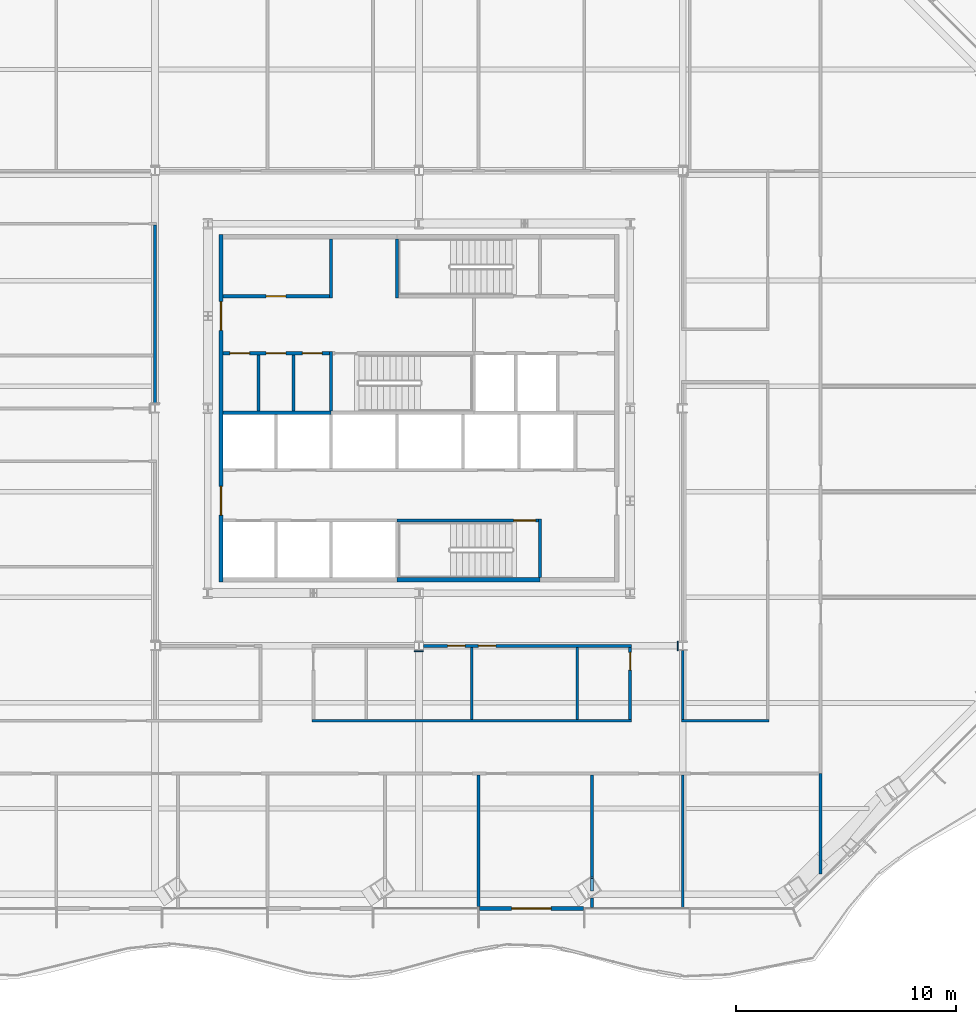
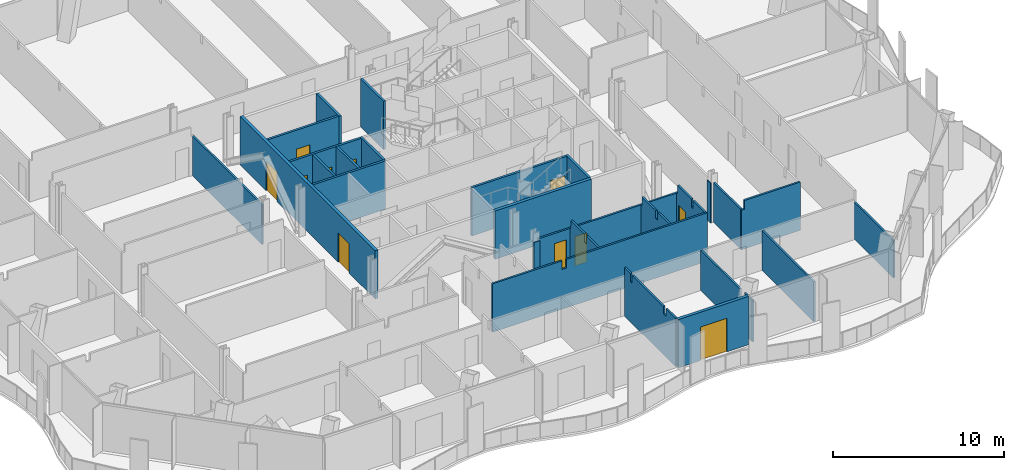
# One storey, part 9 of 22: 28 walls, 11 doors, 11 openings.
"""IFC4 building model written with IfcOpenShell, lengths in metres."""

import ifcopenshell
import ifcopenshell.guid

model = None  # the IFC model being written
_history = None  # IfcOwnerHistory: only IFC2X3 demands one
_inside = {}  # id of a spatial element -> (the spatial element, [elements in it])
_under = {}  # id of a project, library or spatial element -> (it, [spatial elements below it])
_declared = {}  # id of a project -> (the project, [libraries it declares])
_typed = {}  # id of a type object -> (the type object, [elements of that type])
_made_of = {}  # id of a material, layer set ... -> (it, [elements and type objects made of it])


def new_model(schema):
    """Start an empty IFC model of exactly this schema.

    Asked for "IFC4X3", IfcOpenShell would pick the latest addendum, in which some entities
    have other attributes; the version numbers below select the first issue.
    IFC2X3 requires an IfcOwnerHistory on every rooted entity: one is made here for all.
    """
    global model, _history
    if schema == "IFC4X3":
        model = ifcopenshell.file(schema_version=(4, 3, 0, 0))
    else:
        model = ifcopenshell.file(schema=schema)
    _inside.clear()
    _under.clear()
    _declared.clear()
    _typed.clear()
    _made_of.clear()
    _history = None
    if model.schema == "IFC2X3":
        org = make("IfcOrganization", Name="unknown")
        user = make(
            "IfcPersonAndOrganization",
            ThePerson=make("IfcPerson", FamilyName="unknown"),
            TheOrganization=org,
        )
        app = make(
            "IfcApplication",
            ApplicationDeveloper=org,
            Version="unknown",
            ApplicationFullName="unknown",
            ApplicationIdentifier="unknown",
        )
        _history = make(
            "IfcOwnerHistory",
            OwningUser=user,
            OwningApplication=app,
            ChangeAction="ADDED",
            CreationDate=0,
        )
    return model


def make(cls, **values):
    """One entity of the class cls with the attributes given. An attribute that is None is left unset."""
    return model.create_entity(
        cls, **{name: value for name, value in values.items() if value is not None}
    )


def rooted(cls, **values):
    """An entity with a GlobalId (a new one), such as an element, a storey or a relation."""
    return make(cls, GlobalId=ifcopenshell.guid.new(), OwnerHistory=_history, **values)


def si_unit(unit_type, name, prefix=None):
    """IfcSIUnit, for example si_unit("LENGTHUNIT", "METRE", prefix="MILLI")."""
    return make("IfcSIUnit", UnitType=unit_type, Prefix=prefix, Name=name)


def assignment(units):
    """IfcUnitAssignment: the units of a project."""
    return None if units is None else make("IfcUnitAssignment", Units=units)


def point(xyz):
    """IfcCartesianPoint."""
    return None if xyz is None else make("IfcCartesianPoint", Coordinates=xyz)


def direction(xyz):
    """IfcDirection."""
    return None if xyz is None else make("IfcDirection", DirectionRatios=xyz)


def frame(location, z_axis=None, x_axis=None):
    """IfcAxis2Placement3D, a coordinate frame: its origin and axes. An axis left out is left unset."""
    return make(
        "IfcAxis2Placement3D",
        Location=point(location),
        Axis=direction(z_axis),
        RefDirection=direction(x_axis),
    )


def frame_2d(location, x_axis=None):
    """IfcAxis2Placement2D, a coordinate frame in the plane: its origin and x axis."""
    return make(
        "IfcAxis2Placement2D", Location=point(location), RefDirection=direction(x_axis)
    )


def origin():
    """The frame at (0, 0, 0) with its axes left unset."""
    return frame((0.0, 0.0, 0.0))


def place(relative_to, where):
    """IfcLocalPlacement: puts the frame where relative to a parent placement (None: the world)."""
    return make(
        "IfcLocalPlacement", PlacementRelTo=relative_to, RelativePlacement=where
    )


def context(
    kind, dimensions, precision=None, world=None, true_north=None, identifier=None
):
    """IfcGeometricRepresentationContext, for example the 3D "Model" context."""
    return make(
        "IfcGeometricRepresentationContext",
        ContextIdentifier=identifier,
        ContextType=kind,
        CoordinateSpaceDimension=dimensions,
        Precision=precision,
        WorldCoordinateSystem=world,
        TrueNorth=true_north,
    )


def subcontext(parent, identifier, kind, view, scale=None):
    """IfcGeometricRepresentationSubContext, for example "Body" below "Model"."""
    return make(
        "IfcGeometricRepresentationSubContext",
        ContextIdentifier=identifier,
        ContextType=kind,
        ParentContext=parent,
        TargetScale=scale,
        TargetView=view,
    )


def project(units=None, contexts=None):
    """IfcProject with its units and contexts."""
    return rooted(
        "IfcProject",
        Name="project",
        RepresentationContexts=contexts,
        UnitsInContext=assignment(units),
    )


def spatial(cls, under=None, at=None, **own):
    """A site, building, storey or space (cls), placed at a placement, below another one or the project."""
    s = rooted(cls, ObjectPlacement=at, **own)
    if under is not None:
        _under.setdefault(under.id(), (under, []))[1].append(s)
    return s


def polyline(points):
    """IfcPolyline through the points."""
    return make("IfcPolyline", Points=[point(p) for p in points])


def profile(cls, at=None, kind="AREA", **sizes):
    """A parametric profile (cls). Its sizes go by their IFC names, for example OverallWidth=200.0."""
    return make(cls, ProfileType=kind, Position=at, **sizes)


def rectangle(**sizes):
    """IfcRectangleProfileDef."""
    return profile("IfcRectangleProfileDef", **sizes)


def outline(outer, holes=None, kind="AREA"):
    """IfcArbitraryClosedProfileDef: a profile drawn as a closed curve; with holes, ...WithVoids."""
    if holes is None:
        return make("IfcArbitraryClosedProfileDef", ProfileType=kind, OuterCurve=outer)
    return make(
        "IfcArbitraryProfileDefWithVoids",
        ProfileType=kind,
        OuterCurve=outer,
        InnerCurves=holes,
    )


def extrude(swept, where, along, depth):
    """IfcExtrudedAreaSolid: the profile swept, set in the frame where, extruded along a direction by depth."""
    return make(
        "IfcExtrudedAreaSolid",
        SweptArea=swept,
        Position=where,
        ExtrudedDirection=direction(along),
        Depth=depth,
    )


def shape(context_of_items, identifier, shape_type, items):
    """IfcShapeRepresentation: the items that make up one representation, for example the "Body"."""
    return make(
        "IfcShapeRepresentation",
        ContextOfItems=context_of_items,
        RepresentationIdentifier=identifier,
        RepresentationType=shape_type,
        Items=items,
    )


def material(Name=None, Category=None):
    """IfcMaterial."""
    return make("IfcMaterial", Name=Name, Category=Category)


def layer(
    of_material, thickness, ventilated=None, Name=None, Category=None, Priority=None
):
    """IfcMaterialLayer: one layer of a wall or slab, of a material (None: an air gap)."""
    return make(
        "IfcMaterialLayer",
        Material=of_material,
        LayerThickness=thickness,
        IsVentilated=ventilated,
        Name=Name,
        Category=Category,
        Priority=Priority,
    )


def layer_set(layers, Name=None):
    """IfcMaterialLayerSet."""
    return make("IfcMaterialLayerSet", MaterialLayers=layers, LayerSetName=Name)


def made_of(thing, what):
    """Note that an element or type object is made of a material, layer set ...; save() writes the relation."""
    if what is not None:
        _made_of.setdefault(what.id(), (what, []))[1].append(thing)
    return thing


def type_object(cls, material=None, **own):
    """A type object (cls), such as IfcWallType, which elements share."""
    return made_of(rooted(cls, **own), material)


def element(
    cls,
    number,
    at=None,
    inside=None,
    cuts=None,
    type_object=None,
    material=None,
    context=None,
    identifier="Body",
    shape_type=None,
    held_by="IfcProductDefinitionShape",
    body=None,
    shapes=None,
    **own,
):
    """One element of the class cls, such as IfcWall. Its Tag is "e" and its number.

    at: its placement. inside: the storey or other place that contains it. cuts: it is an
    opening in that element (IfcRelVoidsElement). A single representation is given by context,
    identifier, shape_type and body (its items); several are given by shapes. held_by: the class
    of the entity that holds the representations. save() writes the other relations.
    """
    e = rooted(cls, Tag="e%d" % number, ObjectPlacement=at, **own)
    if body is not None:
        shapes = [shape(context, identifier, shape_type, body)]
    if shapes is not None:
        e.Representation = make(held_by, Representations=shapes)
    if inside is not None:
        _inside.setdefault(inside.id(), (inside, []))[1].append(e)
    if cuts is not None:
        rooted(
            "IfcRelVoidsElement", RelatingBuildingElement=cuts, RelatedOpeningElement=e
        )
    if type_object is not None:
        _typed.setdefault(type_object.id(), (type_object, []))[1].append(e)
    return made_of(e, material)


def fill(opening, filler):
    """IfcRelFillsElement: the door or window that sits in an opening."""
    return rooted(
        "IfcRelFillsElement",
        RelatingOpeningElement=opening,
        RelatedBuildingElement=filler,
    )


def aggregate(whole, parts):
    """IfcRelAggregates: a whole, such as a stair, and the parts it consists of."""
    return rooted("IfcRelAggregates", RelatingObject=whole, RelatedObjects=parts)


def save(model, path):
    """Write the relations noted so far, then the file.

    IfcRelAggregates (storeys below a building ...), IfcRelContainedInSpatialStructure (elements
    in a storey), IfcRelDefinesByType, IfcRelAssociatesMaterial and IfcRelDeclares: one each for
    every whole, place, type object, material and project.
    """
    for whole, parts in _under.values():
        aggregate(whole, parts)
    for where, things in _inside.values():
        rooted(
            "IfcRelContainedInSpatialStructure",
            RelatedElements=things,
            RelatingStructure=where,
        )
    for kind, things in _typed.values():
        rooted("IfcRelDefinesByType", RelatedObjects=things, RelatingType=kind)
    for what, things in _made_of.values():
        rooted("IfcRelAssociatesMaterial", RelatedObjects=things, RelatingMaterial=what)
    for by, libraries in _declared.values():
        rooted("IfcRelDeclares", RelatingContext=by, RelatedDefinitions=libraries)
    model.write(path)


model = new_model("IFC4")

# Units and contexts
model_context = context("Model", 3, precision=1e-05, world=origin(), true_north=direction((0.0, 1.0)))
body_context = subcontext(model_context, "Body", "Model", "MODEL_VIEW")
ifc_project = project(units=[si_unit("LENGTHUNIT", "METRE"), si_unit("AREAUNIT", "SQUARE_METRE"), si_unit("VOLUMEUNIT", "CUBIC_METRE"), si_unit("PLANEANGLEUNIT", "RADIAN"), si_unit("MASSUNIT", "GRAM", prefix="KILO")], contexts=[model_context])

# Site, building, storey
site_placement = place(None, origin())
site = spatial("IfcSite", under=ifc_project, at=site_placement, CompositionType="ELEMENT")
building_placement = place(site_placement, origin())
building = spatial("IfcBuilding", under=site, at=building_placement, Name="Cairn Pilgrim Tower", CompositionType="ELEMENT")
storey_placement = place(building_placement, frame((0.0, 0.0, 105.0)))
storey = spatial("IfcBuildingStorey", under=building, at=storey_placement, Name="L25", CompositionType="ELEMENT", Elevation=105.0)

# Wall, opening, door
ifc_material_1 = material(Name="Bronze anodised aluminium insulated sandwich panel with mineral wool fill", Category="aluminium")
ifc_layer_1 = layer(ifc_material_1, 0.199951171875)
ifc_layer_set_1 = layer_set([ifc_layer_1], Name="BRONZE INFILL FRAME WALL 200")
wall_type_1 = type_object("IfcWallType", Name="BRONZE INFILL FRAME WALL 200", PredefinedType="NOTDEFINED", material=ifc_layer_set_1)
wall_1_placement = place(storey_placement, frame((9.94287109375, -20.34130859375, 0.0), z_axis=(0.0, 0.0, 1.0), x_axis=(1.0, 0.0, 0.0)))
wall_1 = element("IfcWall", 1, at=wall_1_placement, inside=storey, type_object=wall_type_1, Name="Bronze infill frame wall IW-S6", PredefinedType="NOTDEFINED", context=body_context, shape_type="SweptSolid", body=[
    extrude(rectangle(XDim=4.739990234375, YDim=0.199951171875, at=frame_2d((2.3701171875, 0.0))), origin(), (0.0, 0.0, 1.0), 3.449951171875),
])
opening_1_placement = place(wall_1_placement, frame((1.469970703125, 0.0, 0.0)))
opening_1 = element("IfcOpeningElement", 2, at=opening_1_placement, cuts=wall_1, Name="Opening 2506B", PredefinedType="OPENING", context=body_context, shape_type="SweptSolid", body=[
    extrude(rectangle(XDim=1.800048828125, YDim=2.39990234375, at=frame_2d((0.89990234375, 1.199951171875))), frame((0.0, 0.10986328125, 0.0), z_axis=(0.0, -1.0, 0.0), x_axis=(1.0, 0.0, 0.0)), (0.0, 0.0, 1.0), 0.219970703125),
])
ifc_material_2 = material(Name="Bronze anodised aluminium frame with tinted low-E glass", Category="aluminium")
door_type_1 = type_object("IfcDoorType", Name="BALCONY SLIDING DOOR 1800x2400", OperationType="DOUBLE_DOOR_SLIDING", PredefinedType="DOOR", material=ifc_material_2)
door_1_placement = place(opening_1_placement, origin())
door_1 = element("IfcDoor", 3, at=door_1_placement, inside=storey, type_object=door_type_1, Name="Balcony sliding door 2506B", OperationType="SINGLE_SWING_LEFT", OverallHeight=2.39990234375, OverallWidth=1.800048828125, PredefinedType="DOOR", context=body_context, shape_type="SweptSolid", body=[
    extrude(rectangle(XDim=1.800048828125, YDim=2.39990234375, at=frame_2d((0.89990234375, 1.199951171875))), frame((0.0, 0.02490234375, 0.0), z_axis=(0.0, -1.0, 0.0), x_axis=(1.0, 0.0, 0.0)), (0.0, 0.0, 1.0), 0.050048828125),
])
fill(opening_1, door_1)

# Wall, openings, doors
ifc_material_3 = material(Name="Concrete C32/40", Category="concrete")
ifc_layer_2 = layer(ifc_material_3, 0.199951171875)
ifc_layer_set_2 = layer_set([ifc_layer_2], Name="CORE OUTER WALL 200 EI 120")
wall_type_2 = type_object("IfcWallType", Name="CORE OUTER WALL 200 EI 120", PredefinedType="SOLIDWALL", material=ifc_layer_set_2)
wall_2_placement = place(storey_placement, frame((-1.800048828125, -5.5, 0.0), z_axis=(0.0, 0.0, 1.0), x_axis=(0.0, 1.0, 0.0)))
wall_2 = element("IfcWall", 4, at=wall_2_placement, inside=storey, type_object=wall_type_2, Name="CW:L25:V12", PredefinedType="SOLIDWALL", context=body_context, shape_type="SweptSolid", body=[
    extrude(rectangle(XDim=15.800048828125, YDim=0.199951171875, at=frame_2d((7.89990234375, 0.0))), origin(), (0.0, 0.0, 1.0), 3.449951171875),
])
opening_2_placement = place(wall_2_placement, frame((3.050048828125, 0.0, 0.0)))
opening_2 = element("IfcOpeningElement", 5, at=opening_2_placement, cuts=wall_2, Name="Opening CD-W1", PredefinedType="OPENING", context=body_context, shape_type="SweptSolid", body=[
    extrude(rectangle(XDim=1.300048828125, YDim=2.10009765625, at=frame_2d((0.64990234375, 1.050048828125))), frame((0.0, 0.10986328125, 0.0), z_axis=(0.0, -1.0, 0.0), x_axis=(1.0, 0.0, 0.0)), (0.0, 0.0, 1.0), 0.219970703125),
])
opening_3_placement = place(wall_2_placement, frame((11.449951171875, 0.0, 0.0)))
opening_3 = element("IfcOpeningElement", 6, at=opening_3_placement, cuts=wall_2, Name="Opening CD-W2", PredefinedType="OPENING", context=body_context, shape_type="SweptSolid", body=[
    extrude(rectangle(XDim=1.300048828125, YDim=2.10009765625, at=frame_2d((0.64990234375, 1.050048828125))), frame((0.0, 0.10986328125, 0.0), z_axis=(0.0, -1.0, 0.0), x_axis=(1.0, 0.0, 0.0)), (0.0, 0.0, 1.0), 0.219970703125),
])
ifc_material_4 = material(Name="Painted steel", Category="steel")
door_type_2 = type_object("IfcDoorType", Name="CORE LOBBY DOOR 1300x2100", OperationType="DOUBLE_DOOR_SINGLE_SWING", PredefinedType="DOOR", material=ifc_material_4)
door_2_placement = place(opening_2_placement, origin())
door_2 = element("IfcDoor", 7, at=door_2_placement, inside=storey, type_object=door_type_2, Name="CD-W1", OperationType="DOUBLE_DOOR_SINGLE_SWING", OverallHeight=2.10009765625, OverallWidth=1.300048828125, PredefinedType="DOOR", context=body_context, shape_type="SweptSolid", body=[
    extrude(rectangle(XDim=1.300048828125, YDim=2.10009765625, at=frame_2d((0.64990234375, 1.050048828125))), frame((0.0, 0.02490234375, 0.0), z_axis=(0.0, -1.0, 0.0), x_axis=(1.0, 0.0, 0.0)), (0.0, 0.0, 1.0), 0.050048828125),
])
fill(opening_2, door_2)
door_3_placement = place(opening_3_placement, origin())
door_3 = element("IfcDoor", 8, at=door_3_placement, inside=storey, type_object=door_type_2, Name="CD-W2", OperationType="DOUBLE_DOOR_SINGLE_SWING", OverallHeight=2.10009765625, OverallWidth=1.300048828125, PredefinedType="DOOR", context=body_context, shape_type="SweptSolid", body=[
    extrude(rectangle(XDim=1.300048828125, YDim=2.10009765625, at=frame_2d((0.64990234375, 1.050048828125))), frame((0.0, 0.02490234375, 0.0), z_axis=(0.0, -1.0, 0.0), x_axis=(1.0, 0.0, 0.0)), (0.0, 0.0, 1.0), 0.050048828125),
])
fill(opening_3, door_3)

ifc_layer_3 = layer(ifc_material_3, 0.14990234375)
ifc_layer_set_3 = layer_set([ifc_layer_3], Name="CORE PARTITION 150 EI 60")
wall_type_3 = type_object("IfcWallType", Name="CORE PARTITION 150 EI 60", PredefinedType="PARTITIONING", material=ifc_layer_set_3)
wall_3_placement = place(storey_placement, frame((-1.699951171875, 4.89990234375, 0.0), z_axis=(0.0, 0.0, 1.0), x_axis=(1.0, 0.0, 0.0)))
wall_3 = element("IfcWall", 9, at=wall_3_placement, inside=storey, type_object=wall_type_3, Name="CW:L25:H07", PredefinedType="PARTITIONING", context=body_context, shape_type="SweptSolid", body=[
    extrude(rectangle(XDim=4.824951171875, YDim=0.14990234375, at=frame_2d((2.41259765625, 0.0))), origin(), (0.0, 0.0, 1.0), 3.449951171875),
])
opening_4_placement = place(wall_3_placement, frame((0.300048828125, 0.0, 0.0)))
opening_4 = element("IfcOpeningElement", 10, at=opening_4_placement, cuts=wall_3, Name="Opening RD-R3W1", PredefinedType="OPENING", context=body_context, shape_type="SweptSolid", body=[
    extrude(rectangle(XDim=0.89990234375, YDim=2.10009765625, at=frame_2d((0.449951171875, 1.050048828125))), frame((0.0, 0.0849609375, 0.0), z_axis=(0.0, -1.0, 0.0), x_axis=(1.0, 0.0, 0.0)), (0.0, 0.0, 1.0), 0.169921875),
])
opening_5_placement = place(wall_3_placement, frame((1.949951171875, 0.0, 0.0)))
opening_5 = element("IfcOpeningElement", 11, at=opening_5_placement, cuts=wall_3, Name="Opening RD-R3W2", PredefinedType="OPENING", context=body_context, shape_type="SweptSolid", body=[
    extrude(rectangle(XDim=0.89990234375, YDim=2.10009765625, at=frame_2d((0.449951171875, 1.050048828125))), frame((0.0, 0.0849609375, 0.0), z_axis=(0.0, -1.0, 0.0), x_axis=(1.0, 0.0, 0.0)), (0.0, 0.0, 1.0), 0.169921875),
])
opening_6_placement = place(wall_3_placement, frame((3.60009765625, 0.0, 0.0)))
opening_6 = element("IfcOpeningElement", 12, at=opening_6_placement, cuts=wall_3, Name="Opening RD-R3W3", PredefinedType="OPENING", context=body_context, shape_type="SweptSolid", body=[
    extrude(rectangle(XDim=0.89990234375, YDim=2.10009765625, at=frame_2d((0.449951171875, 1.050048828125))), frame((0.0, 0.0849609375, 0.0), z_axis=(0.0, -1.0, 0.0), x_axis=(1.0, 0.0, 0.0)), (0.0, 0.0, 1.0), 0.169921875),
])
door_type_3 = type_object("IfcDoorType", Name="SERVICE ROOM DOOR 900x2100", OperationType="SINGLE_SWING_LEFT", PredefinedType="DOOR", material=ifc_material_4)
door_4_placement = place(opening_4_placement, origin())
door_4 = element("IfcDoor", 13, at=door_4_placement, inside=storey, type_object=door_type_3, Name="RD-R3W1", OperationType="SINGLE_SWING_RIGHT", OverallHeight=2.10009765625, OverallWidth=0.89990234375, PredefinedType="DOOR", context=body_context, shape_type="SweptSolid", body=[
    extrude(rectangle(XDim=0.89990234375, YDim=2.10009765625, at=frame_2d((0.449951171875, 1.050048828125))), frame((0.0, 0.02490234375, 0.0), z_axis=(0.0, -1.0, 0.0), x_axis=(1.0, 0.0, 0.0)), (0.0, 0.0, 1.0), 0.050048828125),
])
fill(opening_4, door_4)
door_5_placement = place(opening_5_placement, origin())
door_5 = element("IfcDoor", 14, at=door_5_placement, inside=storey, type_object=door_type_3, Name="RD-R3W2", OperationType="SINGLE_SWING_LEFT", OverallHeight=2.10009765625, OverallWidth=0.89990234375, PredefinedType="DOOR", context=body_context, shape_type="SweptSolid", body=[
    extrude(rectangle(XDim=0.89990234375, YDim=2.10009765625, at=frame_2d((0.449951171875, 1.050048828125))), frame((0.0, 0.02490234375, 0.0), z_axis=(0.0, -1.0, 0.0), x_axis=(1.0, 0.0, 0.0)), (0.0, 0.0, 1.0), 0.050048828125),
])
fill(opening_5, door_5)
door_6_placement = place(opening_6_placement, origin())
door_6 = element("IfcDoor", 15, at=door_6_placement, inside=storey, type_object=door_type_3, Name="RD-R3W3", OperationType="SINGLE_SWING_RIGHT", OverallHeight=2.10009765625, OverallWidth=0.89990234375, PredefinedType="DOOR", context=body_context, shape_type="SweptSolid", body=[
    extrude(rectangle(XDim=0.89990234375, YDim=2.10009765625, at=frame_2d((0.449951171875, 1.050048828125))), frame((0.0, 0.02490234375, 0.0), z_axis=(0.0, -1.0, 0.0), x_axis=(1.0, 0.0, 0.0)), (0.0, 0.0, 1.0), 0.050048828125),
])
fill(opening_6, door_6)

# Wall, opening, door
wall_4_placement = place(storey_placement, frame((-1.699951171875, 7.5, 0.0), z_axis=(0.0, 0.0, 1.0), x_axis=(1.0, 0.0, 0.0)))
wall_4 = element("IfcWall", 16, at=wall_4_placement, inside=storey, type_object=wall_type_3, Name="CW:L25:H09", PredefinedType="PARTITIONING", context=body_context, shape_type="SweptSolid", body=[
    extrude(rectangle(XDim=4.824951171875, YDim=0.14990234375, at=frame_2d((2.41259765625, 0.0))), origin(), (0.0, 0.0, 1.0), 3.449951171875),
])
opening_7_placement = place(wall_4_placement, frame((1.949951171875, 0.0, 0.0)))
opening_7 = element("IfcOpeningElement", 17, at=opening_7_placement, cuts=wall_4, Name="Opening RD-R4W1", PredefinedType="OPENING", context=body_context, shape_type="SweptSolid", body=[
    extrude(rectangle(XDim=0.89990234375, YDim=2.10009765625, at=frame_2d((0.449951171875, 1.050048828125))), frame((0.0, 0.0849609375, 0.0), z_axis=(0.0, -1.0, 0.0), x_axis=(1.0, 0.0, 0.0)), (0.0, 0.0, 1.0), 0.169921875),
])
door_7_placement = place(opening_7_placement, origin())
door_7 = element("IfcDoor", 18, at=door_7_placement, inside=storey, type_object=door_type_3, Name="RD-R4W1", OperationType="SINGLE_SWING_LEFT", OverallHeight=2.10009765625, OverallWidth=0.89990234375, PredefinedType="DOOR", context=body_context, shape_type="SweptSolid", body=[
    extrude(rectangle(XDim=0.89990234375, YDim=2.10009765625, at=frame_2d((0.449951171875, 1.050048828125))), frame((0.0, 0.02490234375, 0.0), z_axis=(0.0, -1.0, 0.0), x_axis=(1.0, 0.0, 0.0)), (0.0, 0.0, 1.0), 0.050048828125),
])
fill(opening_7, door_7)

# Walls
for number, where, z_axis, x_axis, name in (
    (19, (-0.10009765625, 2.27490234375, 0.0), (0.0, 0.0, 1.0), (0.0, 1.0, 0.0), "CW:L25:V13"),
    (20, (1.5, 2.27490234375, 0.0), (0.0, 0.0, 1.0), (0.0, 1.0, 0.0), "CW:L25:V16"),
):
    element("IfcWall", number, at=place(storey_placement, frame(where, z_axis=z_axis, x_axis=x_axis)), inside=storey, type_object=wall_type_3, Name=name, PredefinedType="PARTITIONING", context=body_context, shape_type="SweptSolid", body=[
        extrude(rectangle(XDim=2.550048828125, YDim=0.14990234375, at=frame_2d((1.27490234375, 0.0))), origin(), (0.0, 0.0, 1.0), 3.449951171875),
    ])
wall_5_placement = place(storey_placement, frame((3.199951171875, 7.425048828125, 0.0), z_axis=(0.0, 0.0, 1.0), x_axis=(0.0, 1.0, 0.0)))
element("IfcWall", 21, at=wall_5_placement, inside=storey, type_object=wall_type_3, Name="CW:L25:V20", PredefinedType="PARTITIONING", context=body_context, shape_type="SweptSolid", body=[
    extrude(rectangle(XDim=2.675048828125, YDim=0.14990234375, at=frame_2d((1.33740234375, 0.0))), origin(), (0.0, 0.0, 1.0), 3.449951171875),
])
ifc_layer_4 = layer(ifc_material_3, 0.14990234375)
ifc_layer_set_4 = layer_set([ifc_layer_4], Name="CORE SHAFT WALL 150 EI 120")
wall_type_4 = type_object("IfcWallType", Name="CORE SHAFT WALL 150 EI 120", PredefinedType="SOLIDWALL", material=ifc_layer_set_4)
wall_6_placement = place(storey_placement, frame((-1.699951171875, 2.199951171875, 0.0), z_axis=(0.0, 0.0, 1.0), x_axis=(1.0, 0.0, 0.0)))
element("IfcWall", 22, at=wall_6_placement, inside=storey, type_object=wall_type_4, Name="CW:L25:H05-1", PredefinedType="SOLIDWALL", context=body_context, shape_type="SweptSolid", body=[
    extrude(rectangle(XDim=4.89990234375, YDim=0.14990234375, at=frame_2d((2.449951171875, 0.0))), origin(), (0.0, 0.0, 1.0), 3.449951171875),
])
ifc_material_5 = material(Name="Gypsum partition")
ifc_layer_5 = layer(ifc_material_5, 0.125)
ifc_layer_set_5 = layer_set([ifc_layer_5], Name="PARTITION 125 DRYWALL EI 60")
wall_type_5 = type_object("IfcWallType", Name="PARTITION 125 DRYWALL EI 60", PredefinedType="PARTITIONING", material=ifc_layer_set_5)
wall_7_placement = place(storey_placement, frame((15.06591796875, -20.29443359375, 0.0), z_axis=(0.0, 0.0, 1.0), x_axis=(0.0, 1.0, 0.0)))
element("IfcWall", 23, at=wall_7_placement, inside=storey, type_object=wall_type_5, Name="PARTITION W003", PredefinedType="PARTITIONING", context=body_context, shape_type="SweptSolid", body=[
    extrude(outline(polyline([(0.0, 0.0), (0.440185546875, 0.0), (0.440185546875, 0.862548828125), (0.440185546875, 1.72509765625), (0.710693359375, 2.58740234375), (0.93310546875, 2.929931640625), (0.0, 2.929931640625), (0.0, 2.58740234375), (0.0, 1.72509765625), (0.0, 0.862548828125), (0.0, 0.0)])), frame((0.0, 0.0625, 0.0), z_axis=(0.0, -1.0, 0.0), x_axis=(1.0, 0.0, 0.0)), (0.0, 0.0, 1.0), 0.125),
])
wall_8_placement = place(storey_placement, frame((19.199951171875, -20.29443359375, 0.0), z_axis=(0.0, 0.0, 1.0), x_axis=(0.0, 1.0, 0.0)))
element("IfcWall", 24, at=wall_8_placement, inside=storey, type_object=wall_type_5, Name="PARTITION W004", PredefinedType="PARTITIONING", context=body_context, shape_type="SweptSolid", body=[
    extrude(rectangle(XDim=6.031982421875, YDim=0.125, at=frame_2d((3.01611328125, 0.0))), origin(), (0.0, 0.0, 1.0), 2.830078125),
])
wall_9_placement = place(storey_placement, frame((9.9130859375, -20.241455078125, 0.0), z_axis=(0.0, 0.0, 1.0), x_axis=(0.0, 1.0, 0.0)))
element("IfcWall", 25, at=wall_9_placement, inside=storey, type_object=wall_type_5, Name="PARTITION W007", PredefinedType="PARTITIONING", context=body_context, shape_type="SweptSolid", body=[
    extrude(outline(polyline([(0.0, 0.0), (5.97900390625, 0.0), (5.97900390625, 3.449951171875), (5.274169921875, 3.449951171875), (5.272216796875, 2.8798828125), (5.064208984375, 2.8798828125), (5.06201171875, 3.449951171875), (1.419189453125, 3.449951171875), (1.4169921875, 2.929931640625), (1.119140625, 2.929931640625), (1.1171875, 3.449951171875), (0.0, 3.449951171875), (0.0, 0.0)])), frame((0.0, 0.0625, 0.0), z_axis=(0.0, -1.0, 0.0), x_axis=(1.0, 0.0, 0.0)), (0.0, 0.0, 1.0), 0.125),
])
wall_10_placement = place(storey_placement, frame((15.06591796875, -19.543212890625, 0.0), z_axis=(0.0, 0.0, 1.0), x_axis=(0.0, 1.0, 0.0)))
element("IfcWall", 26, at=wall_10_placement, inside=storey, type_object=wall_type_5, Name="PARTITION W010", PredefinedType="PARTITIONING", context=body_context, shape_type="SweptSolid", body=[
    extrude(outline(polyline([(0.0, 0.0), (5.280517578125, 0.0), (5.280517578125, 0.862548828125), (5.280517578125, 1.72509765625), (5.280517578125, 2.58740234375), (5.280517578125, 2.8798828125), (0.733642578125, 2.8798828125), (0.733642578125, 2.58740234375), (0.733642578125, 1.72509765625), (0.56005859375, 0.862548828125), (0.0, 0.0)])), frame((0.0, 0.0625, 0.0), z_axis=(0.0, -1.0, 0.0), x_axis=(1.0, 0.0, 0.0)), (0.0, 0.0, 1.0), 0.125),
])
wall_11_placement = place(storey_placement, frame((25.462890625, -18.7783203125, 0.0), z_axis=(0.0, 0.0, 1.0), x_axis=(0.0, 1.0, 0.0)))
element("IfcWall", 27, at=wall_11_placement, inside=storey, type_object=wall_type_5, Name="PARTITION W011", PredefinedType="PARTITIONING", context=body_context, shape_type="SweptSolid", body=[
    extrude(outline(polyline([(0.0, 0.0), (4.578369140625, 0.0), (4.578369140625, 0.862548828125), (4.578369140625, 1.72509765625), (4.578369140625, 2.58740234375), (4.578369140625, 2.6298828125), (0.0, 2.6298828125), (0.0, 2.58740234375), (0.0, 1.72509765625), (0.0, 0.862548828125), (0.0, 0.0)])), frame((0.0, 0.0625, 0.0), z_axis=(0.0, -1.0, 0.0), x_axis=(1.0, 0.0, 0.0)), (0.0, 0.0, 1.0), 0.125),
])
wall_12_placement = place(storey_placement, frame((2.33740234375, -11.800048828125, 0.0), z_axis=(0.0, 0.0, 1.0), x_axis=(1.0, 0.0, 0.0)))
element("IfcWall", 28, at=wall_12_placement, inside=storey, type_object=wall_type_5, Name="PARTITION W017", PredefinedType="PARTITIONING", context=body_context, shape_type="SweptSolid", body=[
    extrude(outline(polyline([(0.0, 0.0), (14.525146484375, 0.0), (14.52490234375, 3.449951171875), (5.012451171875, 3.449951171875), (5.010498046875, 2.830078125), (4.71240234375, 2.830078125), (4.71044921875, 3.449951171875), (0.0, 3.449951171875), (0.0, 0.0)])), frame((0.0, 0.0625, 0.0), z_axis=(0.0, -1.0, 0.0), x_axis=(1.0, 0.0, 0.0)), (0.0, 0.0, 1.0), 0.125),
])
wall_13_placement = place(storey_placement, frame((19.137451171875, -11.800048828125, 0.0), z_axis=(0.0, 0.0, 1.0), x_axis=(1.0, 0.0, 0.0)))
element("IfcWall", 29, at=wall_13_placement, inside=storey, type_object=wall_type_5, Name="PARTITION W018", PredefinedType="PARTITIONING", context=body_context, shape_type="SweptSolid", body=[
    extrude(outline(polyline([(0.0, 0.0), (3.988037109375, 0.0), (3.988037109375, 3.449951171875), (0.21240234375, 3.449951171875), (0.21044921875, 2.830078125), (0.0, 2.830078125), (0.0, 0.0)])), frame((0.0, 0.0625, 0.0), z_axis=(0.0, -1.0, 0.0), x_axis=(1.0, 0.0, 0.0)), (0.0, 0.0, 1.0), 0.125),
])
for number, where, z_axis, x_axis, name in (
    (30, (9.60009765625, -11.737548828125, 0.0), (0.0, 0.0, 1.0), (0.0, 1.0, 0.0), "PARTITION W024"),
    (31, (14.39990234375, -11.737548828125, 0.0), (0.0, 0.0, 1.0), (0.0, 1.0, 0.0), "PARTITION W025"),
):
    element("IfcWall", number, at=place(storey_placement, frame(where, z_axis=z_axis, x_axis=x_axis)), inside=storey, type_object=wall_type_5, Name=name, PredefinedType="PARTITIONING", context=body_context, shape_type="SweptSolid", body=[
        extrude(outline(polyline([(0.0, 0.0), (3.275146484375, 0.0), (3.27490234375, 2.830078125), (3.1875, 2.830078125), (3.185546875, 3.449951171875), (1.5703125, 3.449951171875), (1.568115234375, 2.8798828125), (1.360107421875, 2.8798828125), (1.358154296875, 3.449951171875), (0.0, 3.449951171875), (0.0, 0.0)])), frame((0.0, 0.0625, 0.0), z_axis=(0.0, -1.0, 0.0), x_axis=(1.0, 0.0, 0.0)), (0.0, 0.0, 1.0), 0.125),
    ])

# Wall, opening, door
wall_14_placement = place(storey_placement, frame((16.800048828125, -11.737548828125, 0.0), z_axis=(0.0, 0.0, 1.0), x_axis=(0.0, 1.0, 0.0)))
wall_14 = element("IfcWall", 32, at=wall_14_placement, inside=storey, type_object=wall_type_5, Name="PARTITION W026", PredefinedType="PARTITIONING", context=body_context, shape_type="SweptSolid", body=[
    extrude(outline(polyline([(0.0, 0.0), (3.275146484375, 0.0), (3.27490234375, 2.830078125), (3.1875, 2.830078125), (3.185546875, 3.449951171875), (1.5703125, 3.449951171875), (1.568115234375, 2.8798828125), (1.360107421875, 2.8798828125), (1.358154296875, 3.449951171875), (0.0, 3.449951171875), (0.0, 0.0)])), frame((0.0, 0.0625, 0.0), z_axis=(0.0, -1.0, 0.0), x_axis=(1.0, 0.0, 0.0)), (0.0, 0.0, 1.0), 0.125),
])
opening_8_placement = place(wall_14_placement, frame((2.237548828125, 0.0, 0.0)))
opening_8 = element("IfcOpeningElement", 33, at=opening_8_placement, cuts=wall_14, Name="Opening 2538", PredefinedType="OPENING", context=body_context, shape_type="SweptSolid", body=[
    extrude(rectangle(XDim=0.800048828125, YDim=2.10009765625, at=frame_2d((0.39990234375, 1.050048828125))), frame((0.0, 0.072509765625, 0.0), z_axis=(0.0, -1.0, 0.0), x_axis=(1.0, 0.0, 0.0)), (0.0, 0.0, 1.0), 0.14501953125),
])
ifc_material_6 = material(Name="Steel-faced fire door leaf", Category="steel")
door_type_4 = type_object("IfcDoorType", Name="FIRE DOOR 800x2100 FD30S", OperationType="NOTDEFINED", PredefinedType="DOOR", material=ifc_material_6)
door_8_placement = place(opening_8_placement, origin())
door_8 = element("IfcDoor", 34, at=door_8_placement, inside=storey, type_object=door_type_4, Name="DOOR 2538", OperationType="SINGLE_SWING_LEFT", OverallHeight=2.10009765625, OverallWidth=0.800048828125, PredefinedType="DOOR", context=body_context, shape_type="SweptSolid", body=[
    extrude(rectangle(XDim=0.800048828125, YDim=2.10009765625, at=frame_2d((0.39990234375, 1.050048828125))), frame((0.0, 0.02490234375, 0.0), z_axis=(0.0, -1.0, 0.0), x_axis=(1.0, 0.0, 0.0)), (0.0, 0.0, 1.0), 0.050048828125),
])
fill(opening_8, door_8)

# Wall
wall_15_placement = place(storey_placement, frame((19.199951171875, -11.737548828125, 0.0), z_axis=(0.0, 0.0, 1.0), x_axis=(0.0, 1.0, 0.0)))
element("IfcWall", 35, at=wall_15_placement, inside=storey, type_object=wall_type_5, Name="PARTITION W027", PredefinedType="PARTITIONING", context=body_context, shape_type="SweptSolid", body=[
    extrude(rectangle(XDim=3.125, YDim=0.125, at=frame_2d((1.5625, 0.0))), origin(), (0.0, 0.0, 1.0), 2.830078125),
])

# Wall, openings, doors
wall_16_placement = place(storey_placement, frame((7.404541015625, -8.39990234375, 0.0), z_axis=(0.0, 0.0, 1.0), x_axis=(1.0, 0.0, 0.0)))
wall_16 = element("IfcWall", 36, at=wall_16_placement, inside=storey, type_object=wall_type_5, Name="PARTITION W034", PredefinedType="PARTITIONING", context=body_context, shape_type="SweptSolid", body=[
    extrude(rectangle(XDim=9.4580078125, YDim=0.125, at=frame_2d((4.72900390625, 0.0))), origin(), (0.0, 0.0, 1.0), 2.830078125),
])
opening_9_placement = place(wall_16_placement, frame((1.095458984375, 0.0, 0.0)))
opening_9 = element("IfcOpeningElement", 37, at=opening_9_placement, cuts=wall_16, Name="Opening 2536", PredefinedType="OPENING", context=body_context, shape_type="SweptSolid", body=[
    extrude(rectangle(XDim=0.800048828125, YDim=2.10009765625, at=frame_2d((0.39990234375, 1.050048828125))), frame((0.0, 0.072509765625, 0.0), z_axis=(0.0, -1.0, 0.0), x_axis=(1.0, 0.0, 0.0)), (0.0, 0.0, 1.0), 0.14501953125),
])
opening_10_placement = place(wall_16_placement, frame((2.49560546875, 0.0, 0.0)))
opening_10 = element("IfcOpeningElement", 38, at=opening_10_placement, cuts=wall_16, Name="Opening 2537", PredefinedType="OPENING", context=body_context, shape_type="SweptSolid", body=[
    extrude(rectangle(XDim=0.800048828125, YDim=2.10009765625, at=frame_2d((0.39990234375, 1.050048828125))), frame((0.0, 0.072509765625, 0.0), z_axis=(0.0, -1.0, 0.0), x_axis=(1.0, 0.0, 0.0)), (0.0, 0.0, 1.0), 0.14501953125),
])
door_9_placement = place(opening_9_placement, frame((0.800048828125, 0.0, 0.0), z_axis=(0.0, 0.0, 1.0), x_axis=(-1.0, 0.0, 0.0)))
door_9 = element("IfcDoor", 39, at=door_9_placement, inside=storey, type_object=door_type_4, Name="DOOR 2536", OperationType="SINGLE_SWING_LEFT", OverallHeight=2.10009765625, OverallWidth=0.800048828125, PredefinedType="DOOR", context=body_context, shape_type="SweptSolid", body=[
    extrude(rectangle(XDim=0.800048828125, YDim=2.10009765625, at=frame_2d((0.39990234375, 1.050048828125))), frame((0.0, 0.02490234375, 0.0), z_axis=(0.0, -1.0, 0.0), x_axis=(1.0, 0.0, 0.0)), (0.0, 0.0, 1.0), 0.050048828125),
])
fill(opening_9, door_9)
door_10_placement = place(opening_10_placement, frame((0.800048828125, 0.0, 0.0), z_axis=(0.0, 0.0, 1.0), x_axis=(-1.0, 0.0, 0.0)))
door_10 = element("IfcDoor", 40, at=door_10_placement, inside=storey, type_object=door_type_4, Name="DOOR 2537", OperationType="SINGLE_SWING_RIGHT", OverallHeight=2.10009765625, OverallWidth=0.800048828125, PredefinedType="DOOR", context=body_context, shape_type="SweptSolid", body=[
    extrude(rectangle(XDim=0.800048828125, YDim=2.10009765625, at=frame_2d((0.39990234375, 1.050048828125))), frame((0.0, 0.02490234375, 0.0), z_axis=(0.0, -1.0, 0.0), x_axis=(1.0, 0.0, 0.0)), (0.0, 0.0, 1.0), 0.050048828125),
])
fill(opening_10, door_10)

# Walls
wall_17_placement = place(storey_placement, frame((-4.800048828125, 2.612548828125, 0.0), z_axis=(0.0, 0.0, 1.0), x_axis=(0.0, 1.0, 0.0)))
element("IfcWall", 41, at=wall_17_placement, inside=storey, type_object=wall_type_5, Name="PARTITION W046", PredefinedType="PARTITIONING", context=body_context, shape_type="SweptSolid", body=[
    extrude(rectangle(XDim=8.125, YDim=0.125, at=frame_2d((4.0625, 0.0))), origin(), (0.0, 0.0, 1.0), 2.830078125),
])
ifc_layer_6 = layer(ifc_material_5, 0.050048828125)
ifc_layer_set_6 = layer_set([ifc_layer_6], Name="PARTITION 50 DRYWALL EI 60")
wall_type_6 = type_object("IfcWallType", Name="PARTITION 50 DRYWALL EI 60", PredefinedType="PARTITIONING", material=ifc_layer_set_6)
wall_18_placement = place(storey_placement, frame((18.970458984375, -8.612548828125, 0.0), z_axis=(0.0, 0.0, 1.0), x_axis=(0.0, 1.0, 0.0)))
element("IfcWall", 42, at=wall_18_placement, inside=storey, type_object=wall_type_6, Name="COLUMN CASING WC04", PredefinedType="PARTITIONING", context=body_context, shape_type="SweptSolid", body=[
    extrude(rectangle(XDim=0.425048828125, YDim=0.050048828125, at=frame_2d((0.21240234375, 0.0))), origin(), (0.0, 0.0, 1.0), 2.830078125),
])
wall_19_placement = place(storey_placement, frame((6.99560546875, -8.637451171875, 0.0), z_axis=(0.0, 0.0, 1.0), x_axis=(1.0, 0.0, 0.0)))
element("IfcWall", 43, at=wall_19_placement, inside=storey, type_object=wall_type_6, Name="COLUMN CASING WC07", PredefinedType="PARTITIONING", context=body_context, shape_type="SweptSolid", body=[
    extrude(rectangle(XDim=0.408935546875, YDim=0.050048828125, at=frame_2d((0.20458984375, 0.0))), origin(), (0.0, 0.0, 1.0), 2.830078125),
])

# Wall, opening, door
ifc_material_7 = material(Name="Concrete C35/45", Category="concrete")
ifc_layer_7 = layer(ifc_material_7, 0.14990234375)
ifc_layer_set_7 = layer_set([ifc_layer_7], Name="STAIR SHAFT WALL 150 EI 120")
wall_type_7 = type_object("IfcWallType", Name="STAIR SHAFT WALL 150 EI 120", PredefinedType="SOLIDWALL", material=ifc_layer_set_7)
wall_20_placement = place(storey_placement, frame((6.199951171875, -2.699951171875, 0.0), z_axis=(0.0, 0.0, 1.0), x_axis=(1.0, 0.0, 0.0)))
wall_20 = element("IfcWall", 44, at=wall_20_placement, inside=storey, type_object=wall_type_7, Name="CW:L25:H02-2", PredefinedType="SOLIDWALL", context=body_context, shape_type="SweptSolid", body=[
    extrude(rectangle(XDim=6.425048828125, YDim=0.14990234375, at=frame_2d((3.21240234375, 0.0))), origin(), (0.0, 0.0, 1.0), 3.449951171875),
])
opening_11_placement = place(wall_20_placement, frame((5.300048828125, 0.0, 0.0)))
opening_11 = element("IfcOpeningElement", 45, at=opening_11_placement, cuts=wall_20, Name="Opening SD-A", PredefinedType="OPENING", context=body_context, shape_type="SweptSolid", body=[
    extrude(rectangle(XDim=1.0, YDim=2.10009765625, at=frame_2d((0.5, 1.050048828125))), frame((0.0, 0.0849609375, 0.0), z_axis=(0.0, -1.0, 0.0), x_axis=(1.0, 0.0, 0.0)), (0.0, 0.0, 1.0), 0.169921875),
])
door_type_5 = type_object("IfcDoorType", Name="STAIR DOOR FD60S 1000x2100", OperationType="SINGLE_SWING_LEFT", PredefinedType="DOOR", material=ifc_material_4)
door_11_placement = place(opening_11_placement, origin())
door_11 = element("IfcDoor", 46, at=door_11_placement, inside=storey, type_object=door_type_5, Name="SD-A", OperationType="SINGLE_SWING_RIGHT", OverallHeight=2.10009765625, OverallWidth=1.0, PredefinedType="DOOR", context=body_context, shape_type="SweptSolid", body=[
    extrude(rectangle(XDim=1.0, YDim=2.10009765625, at=frame_2d((0.5, 1.050048828125))), frame((0.0, 0.02490234375, 0.0), z_axis=(0.0, -1.0, 0.0), x_axis=(1.0, 0.0, 0.0)), (0.0, 0.0, 1.0), 0.050048828125),
])
fill(opening_11, door_11)

# Walls
wall_21_placement = place(storey_placement, frame((3.199951171875, 2.27490234375, 0.0), z_axis=(0.0, 0.0, 1.0), x_axis=(0.0, 1.0, 0.0)))
element("IfcWall", 47, at=wall_21_placement, inside=storey, type_object=wall_type_7, Name="CW:L25:V19", PredefinedType="SOLIDWALL", context=body_context, shape_type="SweptSolid", body=[
    extrude(rectangle(XDim=2.7001953125, YDim=0.14990234375, at=frame_2d((1.35009765625, 0.0))), origin(), (0.0, 0.0, 1.0), 3.449951171875),
])
for number, where, z_axis, x_axis, name in (
    (48, (6.199951171875, 7.425048828125, 0.0), (0.0, 0.0, 1.0), (0.0, 1.0, 0.0), "CW:L25:V23"),
    (49, (12.699951171875, -5.300048828125, 0.0), (0.0, 0.0, 1.0), (0.0, 1.0, 0.0), "CW:L25:V29"),
):
    element("IfcWall", number, at=place(storey_placement, frame(where, z_axis=z_axis, x_axis=x_axis)), inside=storey, type_object=wall_type_7, Name=name, PredefinedType="SOLIDWALL", context=body_context, shape_type="SweptSolid", body=[
        extrude(rectangle(XDim=2.675048828125, YDim=0.14990234375, at=frame_2d((1.33740234375, 0.0))), origin(), (0.0, 0.0, 1.0), 3.449951171875),
    ])
ifc_layer_8 = layer(ifc_material_7, 0.199951171875)
ifc_layer_set_8 = layer_set([ifc_layer_8], Name="STAIR SHAFT WALL 200 EI 120")
wall_type_8 = type_object("IfcWallType", Name="STAIR SHAFT WALL 200 EI 120", PredefinedType="SOLIDWALL", material=ifc_layer_set_8)
wall_22_placement = place(storey_placement, frame((6.199951171875, -5.39990234375, 0.0), z_axis=(0.0, 0.0, 1.0), x_axis=(1.0, 0.0, 0.0)))
element("IfcWall", 50, at=wall_22_placement, inside=storey, type_object=wall_type_8, Name="CW:L25:H01-2", PredefinedType="SOLIDWALL", context=body_context, shape_type="SweptSolid", body=[
    extrude(rectangle(XDim=6.5, YDim=0.199951171875, at=frame_2d((3.25, 0.0))), origin(), (0.0, 0.0, 1.0), 3.449951171875),
])

save(model, "model.ifc")
